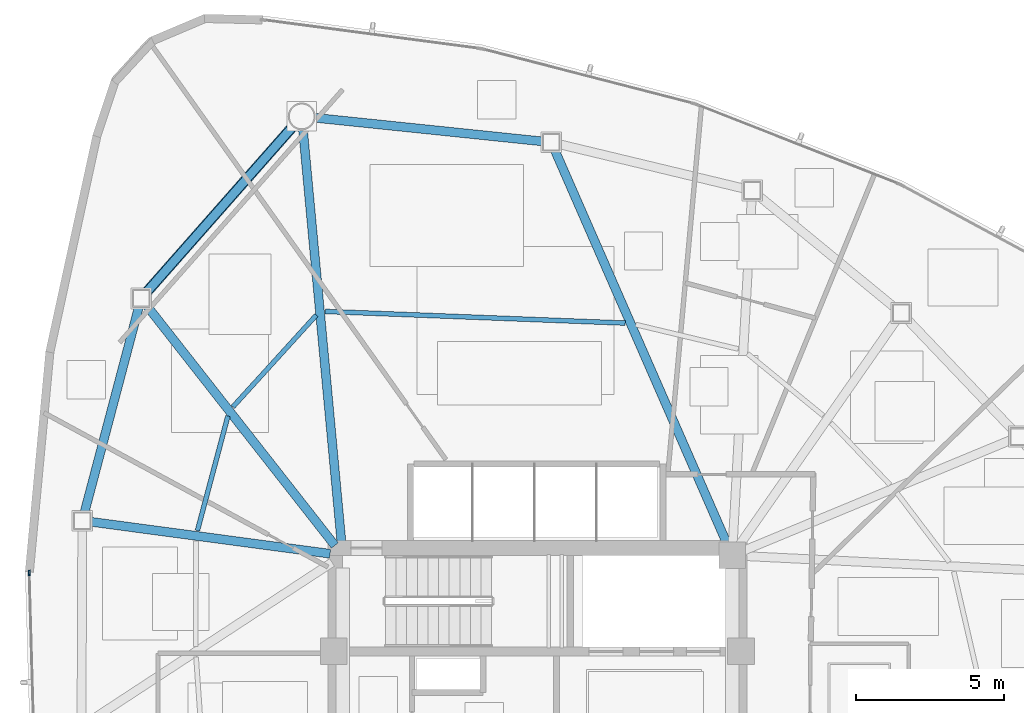
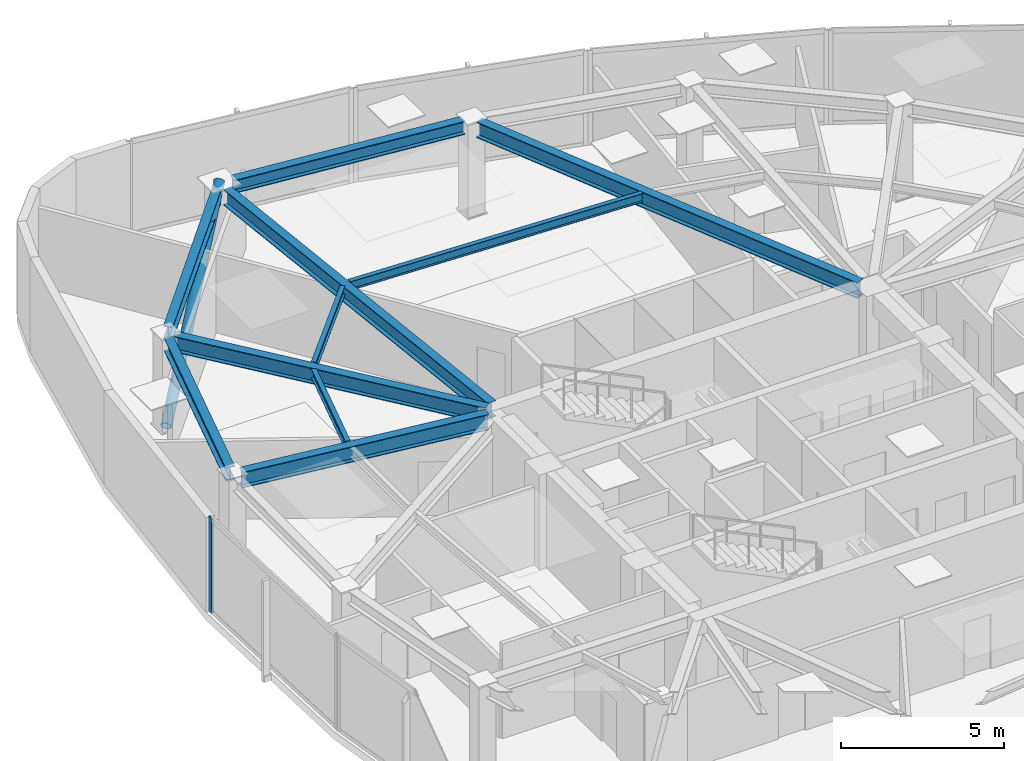
# One storey, part 7 of 18: 10 beams, 2 members, 1 element without a shape of its own.
"""IFC4 building model written with IfcOpenShell, lengths in metres."""

from ifc_helpers import new_model, si_unit, direction, frame, origin, origin_2d, place, context, subcontext, project, spatial, hollow_rectangle, hollow_circle, i_section, extrude, source, transform, mapped, material, layer, layer_set, material_profile, profile_set, type_object, type_shapes, element, aggregate, save


model = new_model("IFC4")

# Units and contexts
model_context = context("Model", 3, precision=1e-05, world=origin(), true_north=direction((0.0, 1.0)))
body_context = subcontext(model_context, "Body", "Model", "MODEL_VIEW")
ifc_project = project(units=[si_unit("LENGTHUNIT", "METRE"), si_unit("AREAUNIT", "SQUARE_METRE"), si_unit("VOLUMEUNIT", "CUBIC_METRE"), si_unit("PLANEANGLEUNIT", "RADIAN"), si_unit("MASSUNIT", "GRAM", prefix="KILO")], contexts=[model_context])

# Site, building, storey
site_placement = place(None, origin())
site = spatial("IfcSite", under=ifc_project, at=site_placement, CompositionType="ELEMENT")
building_placement = place(site_placement, origin())
building = spatial("IfcBuilding", under=site, at=building_placement, Name="Tavelor Broadcast Tower", CompositionType="ELEMENT")
storey_placement = place(building_placement, frame((0.0, 0.0, 181.050048828125)))
storey = spatial("IfcBuildingStorey", under=building, at=storey_placement, Name="L43", CompositionType="ELEMENT", Elevation=181.050048828125)

# Beams
ifc_material_1 = material(Name="Steel S355", Category="steel")
ifc_material_profile_1 = material_profile(ifc_material_1, i_section(OverallWidth=0.159912109375, OverallDepth=0.330078125, WebThickness=0.007568359375, FlangeThickness=0.011474609375, at=origin_2d()), Name="IPE 330")
ifc_profile_set_1 = profile_set([ifc_material_profile_1], Name="Steel S355")
beam_type_1 = type_object("IfcBeamType", Name="Composite Floor Joist T4 IPE 330", PredefinedType="JOIST", material=ifc_profile_set_1)
beam_1_placement = place(storey_placement, frame((42.505615234375, 59.343505859375, 3.385009765625), z_axis=(-0.672852052716, -0.739777071256, 0.0), x_axis=(0.739777071256, -0.672852052716, 0.0)))
element("IfcBeam", 1, at=beam_1_placement, inside=storey, type_object=beam_type_1, Name="L43 Secondary Composite Floor Joist 01", PredefinedType="JOIST", context=body_context, shape_type="SweptSolid", body=[
    extrude(i_section(OverallWidth=0.159912109375, OverallDepth=0.330078125, WebThickness=0.007568359375, FlangeThickness=0.011474609375, at=origin_2d()), origin(), (0.0, 0.0, 1.0), 4.202392578125),
])
beam_2_placement = place(storey_placement, frame((39.509521484375, 55.92578125, 3.385009765625), z_axis=(-0.256963595852, -0.966421083383, 0.0), x_axis=(0.966421083383, -0.256963595852, 0.0)))
element("IfcBeam", 2, at=beam_2_placement, inside=storey, type_object=beam_type_1, Name="L43 Secondary Composite Floor Joist 02", PredefinedType="JOIST", context=body_context, shape_type="SweptSolid", body=[
    extrude(i_section(OverallWidth=0.159912109375, OverallDepth=0.330078125, WebThickness=0.007568359375, FlangeThickness=0.011474609375, at=origin_2d()), origin(), (0.0, 0.0, 1.0), 4.021728515625),
])
beam_3_placement = place(storey_placement, frame((52.976318359375, 59.07470703125, 3.385009765625), z_axis=(-0.999243420365, 0.038891989637, 0.0), x_axis=(-0.038891989637, -0.999243420365, 0.0)))
element("IfcBeam", 3, at=beam_3_placement, inside=storey, type_object=beam_type_1, Name="L43 Secondary Composite Floor Joist 18", PredefinedType="JOIST", context=body_context, shape_type="SweptSolid", body=[
    extrude(i_section(OverallWidth=0.159912109375, OverallDepth=0.330078125, WebThickness=0.007568359375, FlangeThickness=0.011474609375, at=origin_2d()), origin(), (0.0, 0.0, 1.0), 10.17578125),
])
ifc_material_profile_2 = material_profile(ifc_material_1, i_section(OverallWidth=0.300048828125, OverallDepth=0.5, WebThickness=0.014404296875, FlangeThickness=0.028076171875, at=origin_2d()), Name="HEB 500")
ifc_profile_set_2 = profile_set([ifc_material_profile_2], Name="Steel S355")
beam_type_2 = type_object("IfcBeamType", Name="Perimeter Spandrel Beam T4 HEB 500", PredefinedType="SPANDREL", material=ifc_profile_set_2)
beam_4_placement = place(storey_placement, frame((41.720947265625, 65.7509765625, 3.300048828125), z_axis=(-0.661625943185, -0.749834055845, 0.0), x_axis=(0.749834055845, -0.661625943185, 0.0)))
element("IfcBeam", 4, at=beam_4_placement, inside=storey, type_object=beam_type_2, Name="L43 Framed-Tube Ring Spandrel 01", PredefinedType="SPANDREL", context=body_context, shape_type="SweptSolid", body=[
    extrude(i_section(OverallWidth=0.300048828125, OverallDepth=0.5, WebThickness=0.014404296875, FlangeThickness=0.028076171875, at=origin_2d()), origin(), (0.0, 0.0, 1.0), 7.500732421875),
])
beam_5_placement = place(storey_placement, frame((36.493896484375, 59.63232421875, 3.300048828125), z_axis=(-0.255762341211, -0.96673968824, 0.0), x_axis=(0.96673968824, -0.255762341211, 0.0)))
element("IfcBeam", 5, at=beam_5_placement, inside=storey, type_object=beam_type_2, Name="L43 Framed-Tube Ring Spandrel 02", PredefinedType="SPANDREL", context=body_context, shape_type="SweptSolid", body=[
    extrude(i_section(OverallWidth=0.300048828125, OverallDepth=0.5, WebThickness=0.014404296875, FlangeThickness=0.028076171875, at=origin_2d()), origin(), (0.0, 0.0, 1.0), 7.214599609375),
])
beam_6_placement = place(storey_placement, frame((50.18603515625, 65.23193359375, 3.300048828125), z_axis=(-0.99466284774, 0.103178579783, 0.0), x_axis=(-0.103178579783, -0.99466284774, 0.0)))
element("IfcBeam", 6, at=beam_6_placement, inside=storey, type_object=beam_type_2, Name="L43 Framed-Tube Ring Spandrel 18", PredefinedType="SPANDREL", context=body_context, shape_type="SweptSolid", body=[
    extrude(i_section(OverallWidth=0.300048828125, OverallDepth=0.5, WebThickness=0.014404296875, FlangeThickness=0.028076171875, at=origin_2d()), origin(), (0.0, 0.0, 1.0), 7.780029296875),
])

# Member
ifc_material_profile_3 = material_profile(ifc_material_1, hollow_circle(Radius=0.177734375, WallThickness=0.01611328125, at=origin_2d()), Name="CHS 355.6x16")
ifc_profile_set_3 = profile_set([ifc_material_profile_3], Name="Steel S355")
member_type_1 = type_object("IfcMemberType", Name="Perimeter Tube Brace T4 CHS 355.6x16", PredefinedType="BRACE", material=ifc_profile_set_3)
member_1_placement = place(storey_placement, frame((36.567626953125, 59.91064453125, 0.0), z_axis=(0.607484590691, 0.688484352459, 0.396171387776), x_axis=(-0.74983872131, 0.661620655681, 0.0)))
element("IfcMember", 7, at=member_1_placement, inside=storey, type_object=member_type_1, Name="L43 Corner Tube Diagonal Brace 1", PredefinedType="BRACE", context=body_context, shape_type="SweptSolid", body=[
    extrude(hollow_circle(Radius=0.177734375, WallThickness=0.01611328125, at=origin_2d()), origin(), (0.0, 0.0, 1.0), 8.9609375),
])

# Beams
ifc_material_profile_4 = material_profile(ifc_material_1, i_section(OverallWidth=0.300048828125, OverallDepth=0.590087890625, WebThickness=0.012939453125, FlangeThickness=0.02490234375, at=origin_2d()), Name="HEA 600")
ifc_profile_set_4 = profile_set([ifc_material_profile_4], Name="Steel S355")
beam_type_3 = type_object("IfcBeamType", Name="Radial Floor Girder T4 HEA 600", PredefinedType="BEAM", material=ifc_profile_set_4)
beam_7_placement = place(storey_placement, frame((43.35986328125, 51.630126953125, 3.2548828125), z_axis=(-0.092926929372, 0.995672931136, 0.0), x_axis=(-0.995672931136, -0.092926929372, 0.0)))
element("IfcBeam", 8, at=beam_7_placement, inside=storey, type_object=beam_type_3, Name="L43 Radial Primary Floor Girder 01", PredefinedType="BEAM", context=body_context, shape_type="SweptSolid", body=[
    extrude(i_section(OverallWidth=0.300048828125, OverallDepth=0.590087890625, WebThickness=0.012939453125, FlangeThickness=0.02490234375, at=origin_2d()), origin(), (0.0, 0.0, 1.0), 14.073974609375),
])
beam_8_placement = place(storey_placement, frame((43.13330078125, 51.539794921875, 3.2548828125), z_axis=(-0.617155684101, 0.786841065007, 0.0), x_axis=(-0.786841065007, -0.617155684101, 0.0)))
element("IfcBeam", 9, at=beam_8_placement, inside=storey, type_object=beam_type_3, Name="L43 Radial Primary Floor Girder 02", PredefinedType="BEAM", context=body_context, shape_type="SweptSolid", body=[
    extrude(i_section(OverallWidth=0.300048828125, OverallDepth=0.590087890625, WebThickness=0.012939453125, FlangeThickness=0.02490234375, at=origin_2d()), origin(), (0.0, 0.0, 1.0), 10.3505859375),
])
beam_9_placement = place(storey_placement, frame((42.9716796875, 51.257080078125, 3.2548828125), z_axis=(-0.991183810809, 0.132493974169, 0.0), x_axis=(-0.132493974169, -0.991183810809, 0.0)))
element("IfcBeam", 10, at=beam_9_placement, inside=storey, type_object=beam_type_3, Name="L43 Radial Primary Floor Girder 03", PredefinedType="BEAM", context=body_context, shape_type="SweptSolid", body=[
    extrude(i_section(OverallWidth=0.300048828125, OverallDepth=0.590087890625, WebThickness=0.012939453125, FlangeThickness=0.02490234375, at=origin_2d()), origin(), (0.0, 0.0, 1.0), 8.183349609375),
])
beam_10_placement = place(storey_placement, frame((56.4267578125, 51.595703125, 3.2548828125), z_axis=(-0.4008997337, 0.916121937036, 0.0), x_axis=(-0.916121937036, -0.4008997337, 0.0)))
element("IfcBeam", 11, at=beam_10_placement, inside=storey, type_object=beam_type_3, Name="L43 Radial Primary Floor Girder 18", PredefinedType="BEAM", context=body_context, shape_type="SweptSolid", body=[
    extrude(i_section(OverallWidth=0.300048828125, OverallDepth=0.590087890625, WebThickness=0.012939453125, FlangeThickness=0.02490234375, at=origin_2d()), origin(), (0.0, 0.0, 1.0), 14.564453125),
])

# Curtain wall, member
ifc_material_2 = material(Name="Architectural Anodized Aluminium", Category="aluminium")
ifc_layer = layer(ifc_material_2, 0.18994140625)
ifc_layer_set = layer_set([ifc_layer], Name="Architectural Anodized Aluminium")
curtain_wall_type = type_object("IfcCurtainWallType", Name="Tower Mid-Zone Acoustic Curtain Wall CW03", PredefinedType="NOTDEFINED", material=ifc_layer_set)
curtain_wall_placement = place(storey_placement, origin())
curtain_wall = element("IfcCurtainWall", 12, at=curtain_wall_placement, inside=storey, type_object=curtain_wall_type, Name="L43 Curtain Wall CW03 Run 457", PredefinedType="NOTDEFINED")
ifc_material_profile_5 = material_profile(ifc_material_2, hollow_rectangle(XDim=0.068115234375, YDim=0.18994140625, WallThickness=0.02197265625, at=origin_2d()), Name="RHS 68x190x22")
ifc_profile_set_5 = profile_set([ifc_material_profile_5], Name="Architectural Anodized Aluminium")
member_type_2 = type_object("IfcMemberType", Name="CW03 Extruded Aluminium Mullion 68x190", PredefinedType="MULLION", material=ifc_profile_set_5)
shared_shape = source(origin(), body_context, "Body", "SweptSolid", [
    extrude(hollow_rectangle(XDim=0.068115234375, YDim=0.18994140625, WallThickness=0.02197265625, at=origin_2d()), origin(), (0.0, 0.0, 1.0), 3.550048828125),
])
type_shapes(member_type_2, [shared_shape])
member_2_placement = place(storey_placement, frame((32.779052734375, 50.611083984375, 0.0), z_axis=(0.0, 0.0, 1.0), x_axis=(0.999597840402, 0.028357670277, 0.0)))
member_2 = element("IfcMember", 13, at=member_2_placement, type_object=member_type_2, Name="CW03 mullion 1", PredefinedType="MULLION", context=body_context, shape_type="MappedRepresentation", body=[
    mapped(shared_shape, transform((0.0, 0.0, 0.0), scale=1.0)),
])
aggregate(curtain_wall, [member_2])

save(model, "model.ifc")
